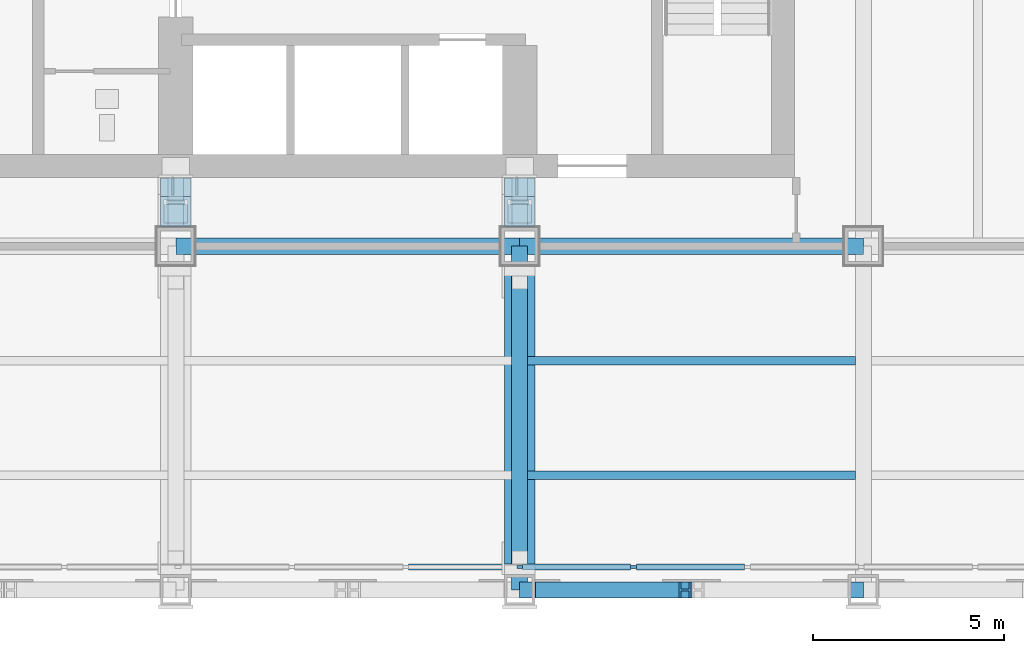
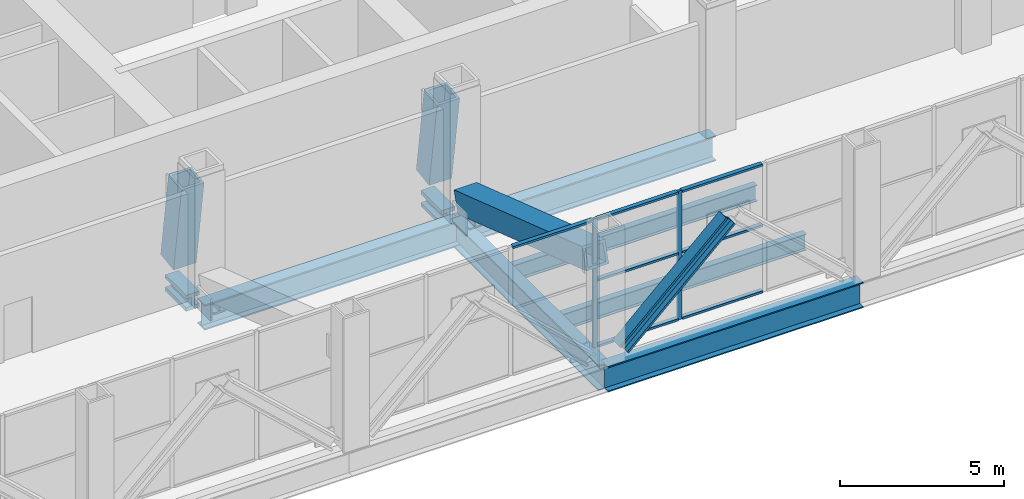
# One storey, part 3 of 19: 15 members, 6 beams, 1 element without a shape of its own.
"""IFC4 building model written with IfcOpenShell, lengths in metres."""

import ifcopenshell
import ifcopenshell.guid

model = None  # the IFC model being written
_history = None  # IfcOwnerHistory: only IFC2X3 demands one
_inside = {}  # id of a spatial element -> (the spatial element, [elements in it])
_under = {}  # id of a project, library or spatial element -> (it, [spatial elements below it])
_declared = {}  # id of a project -> (the project, [libraries it declares])
_typed = {}  # id of a type object -> (the type object, [elements of that type])
_made_of = {}  # id of a material, layer set ... -> (it, [elements and type objects made of it])


def new_model(schema):
    """Start an empty IFC model of exactly this schema.

    Asked for "IFC4X3", IfcOpenShell would pick the latest addendum, in which some entities
    have other attributes; the version numbers below select the first issue.
    IFC2X3 requires an IfcOwnerHistory on every rooted entity: one is made here for all.
    """
    global model, _history
    if schema == "IFC4X3":
        model = ifcopenshell.file(schema_version=(4, 3, 0, 0))
    else:
        model = ifcopenshell.file(schema=schema)
    _inside.clear()
    _under.clear()
    _declared.clear()
    _typed.clear()
    _made_of.clear()
    _history = None
    if model.schema == "IFC2X3":
        org = make("IfcOrganization", Name="unknown")
        user = make(
            "IfcPersonAndOrganization",
            ThePerson=make("IfcPerson", FamilyName="unknown"),
            TheOrganization=org,
        )
        app = make(
            "IfcApplication",
            ApplicationDeveloper=org,
            Version="unknown",
            ApplicationFullName="unknown",
            ApplicationIdentifier="unknown",
        )
        _history = make(
            "IfcOwnerHistory",
            OwningUser=user,
            OwningApplication=app,
            ChangeAction="ADDED",
            CreationDate=0,
        )
    return model


def make(cls, **values):
    """One entity of the class cls with the attributes given. An attribute that is None is left unset."""
    return model.create_entity(
        cls, **{name: value for name, value in values.items() if value is not None}
    )


def rooted(cls, **values):
    """An entity with a GlobalId (a new one), such as an element, a storey or a relation."""
    return make(cls, GlobalId=ifcopenshell.guid.new(), OwnerHistory=_history, **values)


def si_unit(unit_type, name, prefix=None):
    """IfcSIUnit, for example si_unit("LENGTHUNIT", "METRE", prefix="MILLI")."""
    return make("IfcSIUnit", UnitType=unit_type, Prefix=prefix, Name=name)


def assignment(units):
    """IfcUnitAssignment: the units of a project."""
    return None if units is None else make("IfcUnitAssignment", Units=units)


def point(xyz):
    """IfcCartesianPoint."""
    return None if xyz is None else make("IfcCartesianPoint", Coordinates=xyz)


def direction(xyz):
    """IfcDirection."""
    return None if xyz is None else make("IfcDirection", DirectionRatios=xyz)


def frame(location, z_axis=None, x_axis=None):
    """IfcAxis2Placement3D, a coordinate frame: its origin and axes. An axis left out is left unset."""
    return make(
        "IfcAxis2Placement3D",
        Location=point(location),
        Axis=direction(z_axis),
        RefDirection=direction(x_axis),
    )


def frame_2d(location, x_axis=None):
    """IfcAxis2Placement2D, a coordinate frame in the plane: its origin and x axis."""
    return make(
        "IfcAxis2Placement2D", Location=point(location), RefDirection=direction(x_axis)
    )


def origin():
    """The frame at (0, 0, 0) with its axes left unset."""
    return frame((0.0, 0.0, 0.0))


def origin_2d():
    """The frame at (0, 0) in the plane with its x axis left unset."""
    return frame_2d((0.0, 0.0))


def place(relative_to, where):
    """IfcLocalPlacement: puts the frame where relative to a parent placement (None: the world)."""
    return make(
        "IfcLocalPlacement", PlacementRelTo=relative_to, RelativePlacement=where
    )


def context(
    kind, dimensions, precision=None, world=None, true_north=None, identifier=None
):
    """IfcGeometricRepresentationContext, for example the 3D "Model" context."""
    return make(
        "IfcGeometricRepresentationContext",
        ContextIdentifier=identifier,
        ContextType=kind,
        CoordinateSpaceDimension=dimensions,
        Precision=precision,
        WorldCoordinateSystem=world,
        TrueNorth=true_north,
    )


def subcontext(parent, identifier, kind, view, scale=None):
    """IfcGeometricRepresentationSubContext, for example "Body" below "Model"."""
    return make(
        "IfcGeometricRepresentationSubContext",
        ContextIdentifier=identifier,
        ContextType=kind,
        ParentContext=parent,
        TargetScale=scale,
        TargetView=view,
    )


def project(units=None, contexts=None):
    """IfcProject with its units and contexts."""
    return rooted(
        "IfcProject",
        Name="project",
        RepresentationContexts=contexts,
        UnitsInContext=assignment(units),
    )


def spatial(cls, under=None, at=None, **own):
    """A site, building, storey or space (cls), placed at a placement, below another one or the project."""
    s = rooted(cls, ObjectPlacement=at, **own)
    if under is not None:
        _under.setdefault(under.id(), (under, []))[1].append(s)
    return s


def profile(cls, at=None, kind="AREA", **sizes):
    """A parametric profile (cls). Its sizes go by their IFC names, for example OverallWidth=200.0."""
    return make(cls, ProfileType=kind, Position=at, **sizes)


def rectangle(**sizes):
    """IfcRectangleProfileDef."""
    return profile("IfcRectangleProfileDef", **sizes)


def hollow_rectangle(**sizes):
    """IfcRectangleHollowProfileDef."""
    return profile("IfcRectangleHollowProfileDef", **sizes)


def i_section(**sizes):
    """IfcIShapeProfileDef."""
    return profile("IfcIShapeProfileDef", **sizes)


def extrude(swept, where, along, depth):
    """IfcExtrudedAreaSolid: the profile swept, set in the frame where, extruded along a direction by depth."""
    return make(
        "IfcExtrudedAreaSolid",
        SweptArea=swept,
        Position=where,
        ExtrudedDirection=direction(along),
        Depth=depth,
    )


def shape(context_of_items, identifier, shape_type, items):
    """IfcShapeRepresentation: the items that make up one representation, for example the "Body"."""
    return make(
        "IfcShapeRepresentation",
        ContextOfItems=context_of_items,
        RepresentationIdentifier=identifier,
        RepresentationType=shape_type,
        Items=items,
    )


def material(Name=None, Category=None):
    """IfcMaterial."""
    return make("IfcMaterial", Name=Name, Category=Category)


def material_profile(
    of_material, cross_section, Name=None, Category=None, Priority=None
):
    """IfcMaterialProfile: a cross section and its material."""
    return make(
        "IfcMaterialProfile",
        Name=Name,
        Material=of_material,
        Profile=cross_section,
        Priority=Priority,
        Category=Category,
    )


def profile_set(profiles, Name=None, composite=None):
    """IfcMaterialProfileSet."""
    return make(
        "IfcMaterialProfileSet",
        Name=Name,
        MaterialProfiles=profiles,
        CompositeProfile=composite,
    )


def made_of(thing, what):
    """Note that an element or type object is made of a material, layer set ...; save() writes the relation."""
    if what is not None:
        _made_of.setdefault(what.id(), (what, []))[1].append(thing)
    return thing


def type_object(cls, material=None, **own):
    """A type object (cls), such as IfcWallType, which elements share."""
    return made_of(rooted(cls, **own), material)


def element(
    cls,
    number,
    at=None,
    inside=None,
    cuts=None,
    type_object=None,
    material=None,
    context=None,
    identifier="Body",
    shape_type=None,
    held_by="IfcProductDefinitionShape",
    body=None,
    shapes=None,
    **own,
):
    """One element of the class cls, such as IfcWall. Its Tag is "e" and its number.

    at: its placement. inside: the storey or other place that contains it. cuts: it is an
    opening in that element (IfcRelVoidsElement). A single representation is given by context,
    identifier, shape_type and body (its items); several are given by shapes. held_by: the class
    of the entity that holds the representations. save() writes the other relations.
    """
    e = rooted(cls, Tag="e%d" % number, ObjectPlacement=at, **own)
    if body is not None:
        shapes = [shape(context, identifier, shape_type, body)]
    if shapes is not None:
        e.Representation = make(held_by, Representations=shapes)
    if inside is not None:
        _inside.setdefault(inside.id(), (inside, []))[1].append(e)
    if cuts is not None:
        rooted(
            "IfcRelVoidsElement", RelatingBuildingElement=cuts, RelatedOpeningElement=e
        )
    if type_object is not None:
        _typed.setdefault(type_object.id(), (type_object, []))[1].append(e)
    return made_of(e, material)


def aggregate(whole, parts):
    """IfcRelAggregates: a whole, such as a stair, and the parts it consists of."""
    return rooted("IfcRelAggregates", RelatingObject=whole, RelatedObjects=parts)


def save(model, path):
    """Write the relations noted so far, then the file.

    IfcRelAggregates (storeys below a building ...), IfcRelContainedInSpatialStructure (elements
    in a storey), IfcRelDefinesByType, IfcRelAssociatesMaterial and IfcRelDeclares: one each for
    every whole, place, type object, material and project.
    """
    for whole, parts in _under.values():
        aggregate(whole, parts)
    for where, things in _inside.values():
        rooted(
            "IfcRelContainedInSpatialStructure",
            RelatedElements=things,
            RelatingStructure=where,
        )
    for kind, things in _typed.values():
        rooted("IfcRelDefinesByType", RelatedObjects=things, RelatingType=kind)
    for what, things in _made_of.values():
        rooted("IfcRelAssociatesMaterial", RelatedObjects=things, RelatingMaterial=what)
    for by, libraries in _declared.values():
        rooted("IfcRelDeclares", RelatingContext=by, RelatedDefinitions=libraries)
    model.write(path)


model = new_model("IFC4")

# Units and contexts
model_context = context("Model", 3, precision=1e-05, world=origin(), true_north=direction((0.0, 1.0)))
body_context = subcontext(model_context, "Body", "Model", "MODEL_VIEW")
ifc_project = project(units=[si_unit("LENGTHUNIT", "METRE"), si_unit("AREAUNIT", "SQUARE_METRE"), si_unit("VOLUMEUNIT", "CUBIC_METRE"), si_unit("PLANEANGLEUNIT", "RADIAN"), si_unit("MASSUNIT", "GRAM", prefix="KILO")], contexts=[model_context])

# Site, building, storey
site_placement = place(None, origin())
site = spatial("IfcSite", under=ifc_project, at=site_placement, CompositionType="ELEMENT")
building_placement = place(site_placement, origin())
building = spatial("IfcBuilding", under=site, at=building_placement, Name="Loomwork Tower", CompositionType="ELEMENT")
storey_placement = place(building_placement, frame((0.0, 0.0, 89.199951171875)))
storey = spatial("IfcBuildingStorey", under=building, at=storey_placement, Name="L23", CompositionType="ELEMENT", Elevation=89.199951171875)

# Beam
ifc_material_1 = material(Name="Steel ASTM A992", Category="steel")
ifc_material_profile_1 = material_profile(ifc_material_1, i_section(OverallWidth=0.424072265625, OverallDepth=0.947509765625, WebThickness=0.02392578125, FlangeThickness=0.042724609375, at=origin_2d()), Name="W36x302")
ifc_profile_set_1 = profile_set([ifc_material_profile_1], Name="Steel ASTM A992")
beam_type_1 = type_object("IfcBeamType", Name="BELT CHORD SPANDREL W36x302", PredefinedType="SPANDREL", material=ifc_profile_set_1)
beam_1_placement = place(storey_placement, frame((27.0, 0.0, -0.7236328125), z_axis=(1.0, 0.0, 0.0), x_axis=(0.0, 1.0, 0.0)))
element("IfcBeam", 1, at=beam_1_placement, inside=storey, type_object=beam_type_1, Name="Belt Chord Spandrel D/5-D/6 L23", PredefinedType="SPANDREL", context=body_context, shape_type="SweptSolid", body=[
    extrude(i_section(OverallWidth=0.424072265625, OverallDepth=0.947509765625, WebThickness=0.02392578125, FlangeThickness=0.042724609375, at=origin_2d()), origin(), (0.0, 0.0, 1.0), 9.0),
])

# Members
ifc_material_2 = material(Name="Steel ASTM A992", Category="steel")
ifc_material_profile_2 = material_profile(ifc_material_2, i_section(OverallWidth=0.424072265625, OverallDepth=0.47509765625, WebThickness=0.0478515625, FlangeThickness=0.0771484375, at=origin_2d()), Name="W14x426")
ifc_profile_set_2 = profile_set([ifc_material_profile_2], Name="Steel ASTM A992")
member_type_1 = type_object("IfcMemberType", Name="BELT TRUSS DIAGONAL W14x426", PredefinedType="BRACE", material=ifc_profile_set_2)
member_1_placement = place(storey_placement, frame((27.5712890625, 0.0, 0.184326171875), z_axis=(0.733437826244, 0.0, 0.679756541001), x_axis=(0.0, 1.0, 0.0)))
element("IfcMember", 2, at=member_1_placement, inside=storey, type_object=member_type_1, Name="Belt truss diagonal D/5-D/6 L23", PredefinedType="BRACE", context=body_context, shape_type="SweptSolid", body=[
    extrude(i_section(OverallWidth=0.424072265625, OverallDepth=0.47509765625, WebThickness=0.0478515625, FlangeThickness=0.0771484375, at=origin_2d()), origin(), (0.0, 0.0, 1.0), 5.12548828125),
])
ifc_material_3 = material(Name="Steel ASTM A572 Grade 50 plate", Category="steel")
ifc_material_profile_3 = material_profile(ifc_material_3, hollow_rectangle(XDim=0.800048828125, YDim=0.800048828125, WallThickness=0.090087890625, at=origin_2d()), Name="BOX800x90")
ifc_profile_set_3 = profile_set([ifc_material_profile_3], Name="Steel ASTM A572 Grade 50 plate")
member_type_2 = type_object("IfcMemberType", Name="OUTRIGGER DIAGONAL BOX800x90", PredefinedType="BRACE", material=ifc_profile_set_3)
member_2_placement = place(storey_placement, frame((18.0, 9.90771484375, 3.781982421875), z_axis=(0.0, 0.146556688466, -0.98920227308), x_axis=(-1.0, 0.0, 0.0)))
element("IfcMember", 3, at=member_2_placement, inside=storey, type_object=member_type_2, Name="Outrigger diagonal E/4 L23", PredefinedType="BRACE", context=body_context, shape_type="SweptSolid", body=[
    extrude(hollow_rectangle(XDim=0.800048828125, YDim=0.800048828125, WallThickness=0.090087890625, at=origin_2d()), origin(), (0.0, 0.0, 1.0), 3.306640625),
])
member_3_placement = place(storey_placement, frame((27.0, 0.53955078125, 3.46142578125), z_axis=(0.0, 0.947848598928, -0.318720933593), x_axis=(-1.0, 0.0, 0.0)))
element("IfcMember", 4, at=member_3_placement, inside=storey, type_object=member_type_2, Name="Outrigger diagonal D/5 L23", PredefinedType="BRACE", context=body_context, shape_type="SweptSolid", body=[
    extrude(hollow_rectangle(XDim=0.800048828125, YDim=0.800048828125, WallThickness=0.090087890625, at=origin_2d()), origin(), (0.0, 0.0, 1.0), 8.25146484375),
])
member_4_placement = place(storey_placement, frame((27.0, 9.90771484375, 3.781982421875), z_axis=(0.0, 0.146556688466, -0.98920227308), x_axis=(-1.0, 0.0, 0.0)))
element("IfcMember", 5, at=member_4_placement, inside=storey, type_object=member_type_2, Name="Outrigger diagonal E/5 L23", PredefinedType="BRACE", context=body_context, shape_type="SweptSolid", body=[
    extrude(hollow_rectangle(XDim=0.800048828125, YDim=0.800048828125, WallThickness=0.090087890625, at=origin_2d()), origin(), (0.0, 0.0, 1.0), 3.306640625),
])

# Beams
ifc_material_4 = material(Name="Steel ASTM A992", Category="steel")
ifc_material_profile_4 = material_profile(ifc_material_4, i_section(OverallWidth=0.4267578125, OverallDepth=0.939697265625, WebThickness=0.028564453125, FlangeThickness=0.050537109375, at=origin_2d()), Name="W36x361")
ifc_profile_set_4 = profile_set([ifc_material_profile_4], Name="Steel ASTM A992")
beam_type_2 = type_object("IfcBeamType", Name="OUTRIGGER FLOOR GIRDER W36x361", PredefinedType="BEAM", material=ifc_profile_set_4)
for number, where, z_axis, x_axis, name in (
    (6, (18.0, 9.0, -0.719970703125), (1.0, 0.0, 0.0), (0.0, 1.0, 0.0), "Outrigger Floor Girder E/4-E/5 L23"),
    (7, (27.0, 9.0, -0.719970703125), (1.0, 0.0, 0.0), (0.0, 1.0, 0.0), "Outrigger Floor Girder E/5-E/6 L23"),
):
    element("IfcBeam", number, at=place(storey_placement, frame(where, z_axis=z_axis, x_axis=x_axis)), inside=storey, type_object=beam_type_2, Name=name, PredefinedType="BEAM", context=body_context, shape_type="SweptSolid", body=[
        extrude(i_section(OverallWidth=0.4267578125, OverallDepth=0.939697265625, WebThickness=0.028564453125, FlangeThickness=0.050537109375, at=origin_2d()), origin(), (0.0, 0.0, 1.0), 9.0),
    ])
ifc_material_5 = material(Name="Steel ASTM A992", Category="steel")
ifc_material_profile_5 = material_profile(ifc_material_5, i_section(OverallWidth=0.424072265625, OverallDepth=0.947509765625, WebThickness=0.02392578125, FlangeThickness=0.042724609375, at=origin_2d()), Name="W36x302")
ifc_profile_set_5 = profile_set([ifc_material_profile_5], Name="Steel ASTM A992")
beam_type_3 = type_object("IfcBeamType", Name="OUTRIGGER GIRDER W36x302", PredefinedType="BEAM", material=ifc_profile_set_5)
beam_2_placement = place(storey_placement, frame((27.0, 0.0, -0.7236328125), z_axis=(0.0, 1.0, 0.0), x_axis=(-1.0, 0.0, 0.0)))
element("IfcBeam", 8, at=beam_2_placement, inside=storey, type_object=beam_type_3, Name="Outrigger Girder D/5-E/5 L23", PredefinedType="BEAM", context=body_context, shape_type="SweptSolid", body=[
    extrude(i_section(OverallWidth=0.424072265625, OverallDepth=0.947509765625, WebThickness=0.02392578125, FlangeThickness=0.042724609375, at=origin_2d()), origin(), (0.0, 0.0, 1.0), 9.0),
])

# Members
ifc_material_6 = material(Name="Steel ASTM A992", Category="steel")
ifc_material_profile_6 = material_profile(ifc_material_6, i_section(OverallWidth=0.4775390625, OverallDepth=0.599365234375, WebThickness=0.10009765625, FlangeThickness=0.139892578125, at=origin_2d()), Name="W14x873")
ifc_profile_set_6 = profile_set([ifc_material_profile_6], Name="Steel ASTM A992")
member_type_3 = type_object("IfcMemberType", Name="OUTRIGGER STRUT W14x873", PredefinedType="STRUT", material=ifc_profile_set_6)
for number, where, z_axis, x_axis, name in (
    (9, (27.0, 9.510009765625, -0.549560546875), (0.0, 1.0, 0.0), (-1.0, 0.0, 0.0), "Outrigger strut E/5-27.000,11.100 L23"),
    (10, (18.0, 9.510009765625, -0.549560546875), (0.0, 1.0, 0.0), (-1.0, 0.0, 0.0), "Outrigger strut E/4-18.000,11.100 L23"),
):
    element("IfcMember", number, at=place(storey_placement, frame(where, z_axis=z_axis, x_axis=x_axis)), inside=storey, type_object=member_type_3, Name=name, PredefinedType="STRUT", context=body_context, shape_type="SweptSolid", body=[
        extrude(i_section(OverallWidth=0.4775390625, OverallDepth=0.599365234375, WebThickness=0.10009765625, FlangeThickness=0.139892578125, at=origin_2d()), origin(), (0.0, 0.0, 1.0), 1.27490234375),
    ])

# Beams
ifc_material_7 = material(Name="Steel ASTM A992", Category="steel")
ifc_material_profile_7 = material_profile(ifc_material_7, i_section(OverallWidth=0.228271484375, OverallDepth=0.607177734375, WebThickness=0.01123046875, FlangeThickness=0.017333984375, at=origin_2d()), Name="W24x76")
ifc_profile_set_7 = profile_set([ifc_material_profile_7], Name="Steel ASTM A992")
beam_type_4 = type_object("IfcBeamType", Name="PLANT FLOOR JOIST W24x76", PredefinedType="JOIST", material=ifc_profile_set_7)
for number, where, z_axis, x_axis, name in (
    (11, (27.2119140625, 3.0, -0.553466796875), (1.0, 0.0, 0.0), (0.0, 1.0, 0.0), "Plant Floor Joist 27.000,3.000-36.000,3.000 L23"),
    (12, (27.2119140625, 6.0, -0.553466796875), (1.0, 0.0, 0.0), (0.0, 1.0, 0.0), "Plant Floor Joist 27.000,6.000-36.000,6.000 L23"),
):
    element("IfcBeam", number, at=place(storey_placement, frame(where, z_axis=z_axis, x_axis=x_axis)), inside=storey, type_object=beam_type_4, Name=name, PredefinedType="JOIST", context=body_context, shape_type="SweptSolid", body=[
        extrude(i_section(OverallWidth=0.228271484375, OverallDepth=0.607177734375, WebThickness=0.01123046875, FlangeThickness=0.017333984375, at=origin_2d()), origin(), (0.0, 0.0, 1.0), 8.5751953125),
    ])

# Curtain wall, members
ifc_material_8 = material(Name="Aluminium louvre frame", Category="aluminium")
curtain_wall_type = type_object("IfcCurtainWallType", Name="Plant floor louvre screen", PredefinedType="NOTDEFINED", material=ifc_material_8)
curtain_wall_placement = place(storey_placement, origin())
curtain_wall = element("IfcCurtainWall", 13, at=curtain_wall_placement, inside=storey, type_object=curtain_wall_type, Name="Plant floor louvre screen cw/S", PredefinedType="NOTDEFINED")
ifc_material_9 = material(Name="Aluminium louvre frame", Category="aluminium")
ifc_material_profile_8 = material_profile(ifc_material_9, rectangle(XDim=0.080078125, YDim=0.14990234375, at=origin_2d()), Name="AL 80x150")
ifc_profile_set_8 = profile_set([ifc_material_profile_8], Name="Aluminium louvre frame")
member_type_4 = type_object("IfcMemberType", Name="Plant floor louvre screen mullion", PredefinedType="MULLION", material=ifc_profile_set_8)
member_5_placement = place(storey_placement, frame((27.0, 0.60009765625, 0.0), z_axis=(0.0, 0.0, 1.0), x_axis=(0.0, 1.0, 0.0)))
member_5 = element("IfcMember", 14, at=member_5_placement, type_object=member_type_4, Name="CW4 mullion 9", PredefinedType="MULLION", context=body_context, shape_type="SweptSolid", body=[
    extrude(rectangle(XDim=0.080078125, YDim=0.14990234375, at=origin_2d()), origin(), (0.0, 0.0, 1.0), 4.800048828125),
])
member_6_placement = place(storey_placement, frame((29.981201171875, 0.60009765625, 0.0), z_axis=(0.0, 0.0, 1.0), x_axis=(0.0, 1.0, 0.0)))
member_6 = element("IfcMember", 15, at=member_6_placement, type_object=member_type_4, Name="CW4 mullion 10", PredefinedType="MULLION", context=body_context, shape_type="SweptSolid", body=[
    extrude(rectangle(XDim=0.080078125, YDim=0.14990234375, at=origin_2d()), origin(), (0.0, 0.0, 1.0), 4.800048828125),
])
ifc_material_10 = material(Name="Aluminium louvre frame", Category="aluminium")
ifc_material_profile_9 = material_profile(ifc_material_10, rectangle(XDim=0.14990234375, YDim=0.080078125, at=origin_2d()), Name="AL 80x150")
ifc_profile_set_9 = profile_set([ifc_material_profile_9], Name="Aluminium louvre frame")
member_type_5 = type_object("IfcMemberType", Name="Plant floor louvre screen transom", PredefinedType="USERDEFINED", material=ifc_profile_set_9)
member_7_placement = place(storey_placement, frame((24.09375, 0.60009765625, 4.760009765625), z_axis=(1.0, 0.0, 0.0), x_axis=(0.0, 1.0, 0.0)))
member_7 = element("IfcMember", 16, at=member_7_placement, type_object=member_type_5, Name="CW4 transom 8.3", ObjectType="TRANSOM", PredefinedType="USERDEFINED", context=body_context, shape_type="SweptSolid", body=[
    extrude(rectangle(XDim=0.14990234375, YDim=0.080078125, at=origin_2d()), origin(), (0.0, 0.0, 1.0), 2.831298828125),
])
member_8_placement = place(storey_placement, frame((27.074951171875, 0.60009765625, 0.0400390625), z_axis=(1.0, 0.0, 0.0), x_axis=(0.0, 1.0, 0.0)))
member_8 = element("IfcMember", 17, at=member_8_placement, type_object=member_type_5, Name="CW4 transom 9.1", ObjectType="TRANSOM", PredefinedType="USERDEFINED", context=body_context, shape_type="SweptSolid", body=[
    extrude(rectangle(XDim=0.14990234375, YDim=0.080078125, at=origin_2d()), origin(), (0.0, 0.0, 1.0), 2.831298828125),
])
member_9_placement = place(storey_placement, frame((27.074951171875, 0.60009765625, 2.5), z_axis=(1.0, 0.0, 0.0), x_axis=(0.0, 1.0, 0.0)))
member_9 = element("IfcMember", 18, at=member_9_placement, type_object=member_type_5, Name="CW4 transom 9.2", ObjectType="TRANSOM", PredefinedType="USERDEFINED", context=body_context, shape_type="SweptSolid", body=[
    extrude(rectangle(XDim=0.14990234375, YDim=0.080078125, at=origin_2d()), origin(), (0.0, 0.0, 1.0), 2.831298828125),
])
member_10_placement = place(storey_placement, frame((27.074951171875, 0.60009765625, 4.760009765625), z_axis=(1.0, 0.0, 0.0), x_axis=(0.0, 1.0, 0.0)))
member_10 = element("IfcMember", 19, at=member_10_placement, type_object=member_type_5, Name="CW4 transom 9.3", ObjectType="TRANSOM", PredefinedType="USERDEFINED", context=body_context, shape_type="SweptSolid", body=[
    extrude(rectangle(XDim=0.14990234375, YDim=0.080078125, at=origin_2d()), origin(), (0.0, 0.0, 1.0), 2.831298828125),
])
member_11_placement = place(storey_placement, frame((30.05615234375, 0.60009765625, 0.0400390625), z_axis=(1.0, 0.0, 0.0), x_axis=(0.0, 1.0, 0.0)))
member_11 = element("IfcMember", 20, at=member_11_placement, type_object=member_type_5, Name="CW4 transom 10.1", ObjectType="TRANSOM", PredefinedType="USERDEFINED", context=body_context, shape_type="SweptSolid", body=[
    extrude(rectangle(XDim=0.14990234375, YDim=0.080078125, at=origin_2d()), origin(), (0.0, 0.0, 1.0), 2.831298828125),
])
member_12_placement = place(storey_placement, frame((30.05615234375, 0.60009765625, 2.5), z_axis=(1.0, 0.0, 0.0), x_axis=(0.0, 1.0, 0.0)))
member_12 = element("IfcMember", 21, at=member_12_placement, type_object=member_type_5, Name="CW4 transom 10.2", ObjectType="TRANSOM", PredefinedType="USERDEFINED", context=body_context, shape_type="SweptSolid", body=[
    extrude(rectangle(XDim=0.14990234375, YDim=0.080078125, at=origin_2d()), origin(), (0.0, 0.0, 1.0), 2.831298828125),
])
member_13_placement = place(storey_placement, frame((30.05615234375, 0.60009765625, 4.760009765625), z_axis=(1.0, 0.0, 0.0), x_axis=(0.0, 1.0, 0.0)))
member_13 = element("IfcMember", 22, at=member_13_placement, type_object=member_type_5, Name="CW4 transom 10.3", ObjectType="TRANSOM", PredefinedType="USERDEFINED", context=body_context, shape_type="SweptSolid", body=[
    extrude(rectangle(XDim=0.14990234375, YDim=0.080078125, at=origin_2d()), origin(), (0.0, 0.0, 1.0), 2.831298828125),
])
aggregate(curtain_wall, [member_5, member_6, member_7, member_8, member_9, member_10, member_11, member_12, member_13])

save(model, "model.ifc")
